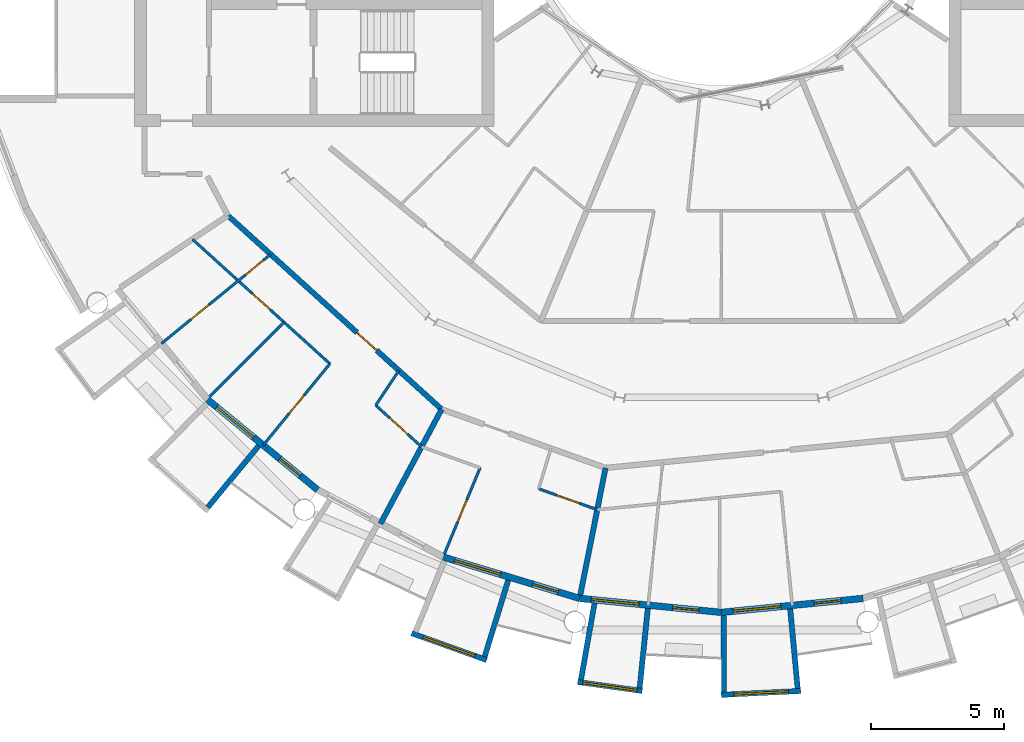
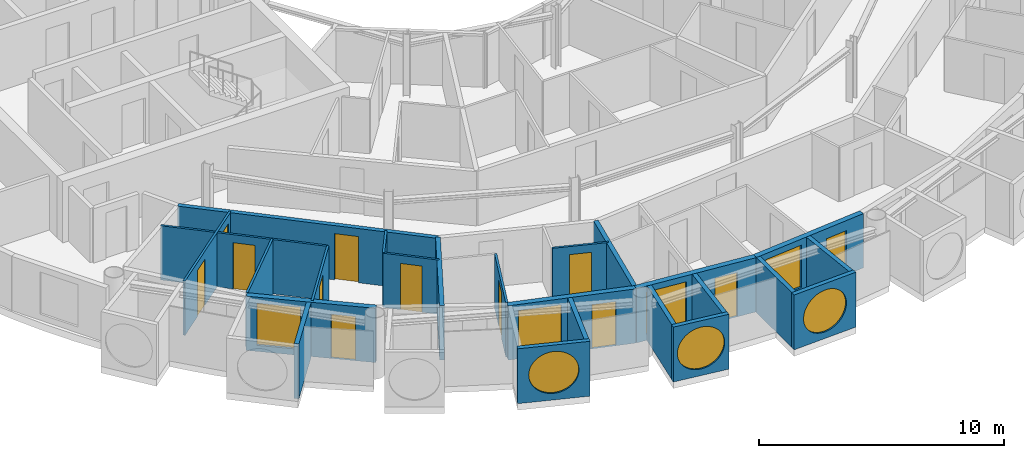
# One storey, part 15 of 29: 24 walls, 12 doors, 7 windows, 19 openings.
"""IFC4 building model written with IfcOpenShell, lengths in metres."""

from ifc_helpers import new_model, si_unit, direction, frame, frame_2d, origin, place, context, subcontext, project, spatial, rectangle, circle, extrude, material, layer, layer_set, type_object, element, fill, save


model = new_model("IFC4")

# Units and contexts
model_context = context("Model", 3, precision=1e-05, world=origin(), true_north=direction((0.0, 1.0)))
body_context = subcontext(model_context, "Body", "Model", "MODEL_VIEW")
ifc_project = project(units=[si_unit("LENGTHUNIT", "METRE"), si_unit("AREAUNIT", "SQUARE_METRE"), si_unit("VOLUMEUNIT", "CUBIC_METRE"), si_unit("PLANEANGLEUNIT", "RADIAN"), si_unit("MASSUNIT", "GRAM", prefix="KILO")], contexts=[model_context])

# Site, building, storey
site_placement = place(None, origin())
site = spatial("IfcSite", under=ifc_project, at=site_placement, CompositionType="ELEMENT")
building_placement = place(site_placement, origin())
building = spatial("IfcBuilding", under=site, at=building_placement, Name="Maasbend Ring Residences", CompositionType="ELEMENT")
storey_placement = place(building_placement, frame((0.0, 0.0, 202.39990234375)))
storey = spatial("IfcBuildingStorey", under=building, at=storey_placement, Name="L58", CompositionType="ELEMENT", Elevation=202.39990234375)

# Wall, opening, door
ifc_material_1 = material(Name="Concrete C30/37", Category="concrete")
ifc_layer_1 = layer(ifc_material_1, 0.199951171875)
ifc_layer_set_1 = layer_set([ifc_layer_1], Name="Concrete C30/37")
wall_type_1 = type_object("IfcWallType", Name="CORRIDOR WALL 200 CONCRETE", PredefinedType="PARTITIONING", material=ifc_layer_set_1)
wall_1_placement = place(storey_placement, frame((-18.5419921875, -12.388916015625, 0.0), z_axis=(0.0, 0.0, 1.0), x_axis=(0.74093897184, -0.671572363941, 0.0)))
wall_1 = element("IfcWall", 1, at=wall_1_placement, inside=storey, type_object=wall_type_1, Name="U-L58-w014", PredefinedType="PARTITIONING", context=body_context, shape_type="SweptSolid", body=[
    extrude(rectangle(XDim=10.84033203125, YDim=0.199951171875, at=frame_2d((5.420166015625, 0.0))), origin(), (0.0, 0.0, 1.0), 2.7001953125),
])
opening_1_placement = place(wall_1_placement, frame((6.5439453125, 0.0, 0.0)))
opening_1 = element("IfcOpeningElement", 2, at=opening_1_placement, cuts=wall_1, Name="Opening D-5834", PredefinedType="OPENING", context=body_context, shape_type="SweptSolid", body=[
    extrude(rectangle(XDim=1.0, YDim=2.300048828125, at=frame_2d((0.5, 1.14990234375))), frame((0.0, 0.10986328125, 0.0), z_axis=(0.0, -1.0, 0.0), x_axis=(1.0, 0.0, 0.0)), (0.0, 0.0, 1.0), 0.219970703125),
])
ifc_material_2 = material(Name="Timber, fire-rated, painted", Category="wood")
door_type_1 = type_object("IfcDoorType", Name="FLAT ENTRANCE DOOR 1000 X 2300 FIRE-RATED", OperationType="NOTDEFINED", PredefinedType="DOOR", material=ifc_material_2)
door_1_placement = place(opening_1_placement, origin())
door_1 = element("IfcDoor", 3, at=door_1_placement, inside=storey, type_object=door_type_1, Name="D-5834", OperationType="SINGLE_SWING_RIGHT", OverallHeight=2.300048828125, OverallWidth=1.0, PredefinedType="DOOR", context=body_context, shape_type="SweptSolid", body=[
    extrude(rectangle(XDim=1.0, YDim=2.300048828125, at=frame_2d((0.5, 1.14990234375))), frame((0.0, 0.02490234375, 0.0), z_axis=(0.0, -1.0, 0.0), x_axis=(1.0, 0.0, 0.0)), (0.0, 0.0, 1.0), 0.050048828125),
])
fill(opening_1, door_1)

# Wall
ifc_material_3 = material(Name="Pale anodised aluminium panel", Category="aluminium")
ifc_layer_2 = layer(ifc_material_3, 0.199951171875)
ifc_layer_set_2 = layer_set([ifc_layer_2], Name="EW-BOX")
wall_type_2 = type_object("IfcWallType", Name="EW-BOX", PredefinedType="SOLIDWALL", material=ifc_layer_set_2)
wall_2_placement = place(storey_placement, frame((-17.384033203125, -21.041015625, -0.02978515625), z_axis=(0.0, 0.0, 1.0), x_axis=(-0.63709551667, -0.770784861449, 0.0)))
element("IfcWall", 4, at=wall_2_placement, inside=storey, type_object=wall_type_2, Name="Box side wall S03 right", PredefinedType="SOLIDWALL", context=body_context, shape_type="SweptSolid", body=[
    extrude(rectangle(XDim=3.005859375, YDim=0.199951171875, at=frame_2d((1.5029296875, 0.0))), origin(), (0.0, 0.0, 1.0), 2.72998046875),
])

# Wall, opening, window
wall_3_placement = place(storey_placement, frame((-11.637939453125, -28.083984375, -0.02978515625), z_axis=(0.0, 0.0, 1.0), x_axis=(0.941461077774, -0.337121697664, 0.0)))
wall_3 = element("IfcWall", 5, at=wall_3_placement, inside=storey, type_object=wall_type_2, Name="Box front S07", PredefinedType="SOLIDWALL", context=body_context, shape_type="SweptSolid", body=[
    extrude(rectangle(XDim=2.9931640625, YDim=0.199951171875, at=frame_2d((1.49658203125, 0.0))), origin(), (0.0, 0.0, 1.0), 2.72998046875),
])
opening_2_placement = place(wall_3_placement, frame((0.45654296875, 0.0, 0.330078125)))
opening_2 = element("IfcOpeningElement", 6, at=opening_2_placement, cuts=wall_3, Name="Opening W-RD", PredefinedType="OPENING", context=body_context, shape_type="SweptSolid", body=[
    extrude(circle(Radius=1.0400390625, at=frame_2d((1.0400390625, 1.0400390625))), frame((0.0, 0.10986328125, 0.0), z_axis=(0.0, -1.0, 0.0), x_axis=(1.0, 0.0, 0.0)), (0.0, 0.0, 1.0), 0.219970703125),
])
ifc_material_4 = material(Name="Aluminium and clear glass", Category="aluminium")
window_type_1 = type_object("IfcWindowType", Name="W-RD", PartitioningType="SINGLE_PANEL", PredefinedType="WINDOW", material=ifc_material_4)
window_1_placement = place(opening_2_placement, origin())
window_1 = element("IfcWindow", 7, at=window_1_placement, inside=storey, type_object=window_type_1, Name="Round window S07", OverallHeight=2.080078125, OverallWidth=2.080078125, PartitioningType="SINGLE_PANEL", PredefinedType="WINDOW", context=body_context, shape_type="SweptSolid", body=[
    extrude(circle(Radius=1.0400390625, at=frame_2d((1.0400390625, 1.0400390625))), frame((0.0, 0.030029296875, 0.0), z_axis=(0.0, -1.0, 0.0), x_axis=(1.0, 0.0, 0.0)), (0.0, 0.0, 1.0), 0.06005859375),
])
fill(opening_2, window_1)

# Wall
wall_4_placement = place(storey_placement, frame((-8.009033203125, -26.092041015625, -0.02978515625), z_axis=(0.0, 0.0, 1.0), x_axis=(-0.293406695073, -0.955987715029, 0.0)))
element("IfcWall", 8, at=wall_4_placement, inside=storey, type_object=wall_type_2, Name="Box side wall S07 right", PredefinedType="SOLIDWALL", context=body_context, shape_type="SweptSolid", body=[
    extrude(rectangle(XDim=3.00634765625, YDim=0.199951171875, at=frame_2d((1.503173828125, 0.0))), origin(), (0.0, 0.0, 1.0), 2.72998046875),
])

# Wall, opening, window
wall_5_placement = place(storey_placement, frame((-5.39794921875, -29.9169921875, -0.02978515625), z_axis=(0.0, 0.0, 1.0), x_axis=(0.990462016113, -0.137786046596, 0.0)))
wall_5 = element("IfcWall", 9, at=wall_5_placement, inside=storey, type_object=wall_type_2, Name="Box front S09", PredefinedType="SOLIDWALL", context=body_context, shape_type="SweptSolid", body=[
    extrude(rectangle(XDim=2.4453125, YDim=0.199951171875, at=frame_2d((1.22265625, 0.0))), origin(), (0.0, 0.0, 1.0), 2.72998046875),
])
opening_3_placement = place(wall_5_placement, frame((0.182861328125, 0.0, 0.330078125)))
opening_3 = element("IfcOpeningElement", 10, at=opening_3_placement, cuts=wall_5, Name="Opening W-RD", PredefinedType="OPENING", context=body_context, shape_type="SweptSolid", body=[
    extrude(circle(Radius=1.0400390625, at=frame_2d((1.0400390625, 1.0400390625))), frame((0.0, 0.10986328125, 0.0), z_axis=(0.0, -1.0, 0.0), x_axis=(1.0, 0.0, 0.0)), (0.0, 0.0, 1.0), 0.219970703125),
])
window_2_placement = place(opening_3_placement, origin())
window_2 = element("IfcWindow", 11, at=window_2_placement, inside=storey, type_object=window_type_1, Name="Round window S09", OverallHeight=2.080078125, OverallWidth=2.080078125, PartitioningType="SINGLE_PANEL", PredefinedType="WINDOW", context=body_context, shape_type="SweptSolid", body=[
    extrude(circle(Radius=1.0400390625, at=frame_2d((1.0400390625, 1.0400390625))), frame((0.0, 0.030029296875, 0.0), z_axis=(0.0, -1.0, 0.0), x_axis=(1.0, 0.0, 0.0)), (0.0, 0.0, 1.0), 0.06005859375),
])
fill(opening_3, window_2)

# Walls
wall_6_placement = place(storey_placement, frame((-4.76904296875, -26.9560546875, -0.02978515625), z_axis=(0.0, 0.0, 1.0), x_axis=(-0.174056778901, -0.984735618183, 0.0)))
element("IfcWall", 12, at=wall_6_placement, inside=storey, type_object=wall_type_2, Name="Box side wall S09 left", PredefinedType="SOLIDWALL", context=body_context, shape_type="SweptSolid", body=[
    extrude(rectangle(XDim=2.924560546875, YDim=0.199951171875, at=frame_2d((1.46240234375, 0.0))), origin(), (0.0, 0.0, 1.0), 2.72998046875),
])
wall_7_placement = place(storey_placement, frame((-2.763916015625, -27.153076171875, -0.02978515625), z_axis=(0.0, 0.0, 1.0), x_axis=(-0.101505487237, -0.994834979311, 0.0)))
element("IfcWall", 13, at=wall_7_placement, inside=storey, type_object=wall_type_2, Name="Box side wall S09 right", PredefinedType="SOLIDWALL", context=body_context, shape_type="SweptSolid", body=[
    extrude(rectangle(XDim=3.006591796875, YDim=0.199951171875, at=frame_2d((1.50341796875, 0.0))), origin(), (0.0, 0.0, 1.0), 2.72998046875),
])

# Wall, opening, window
wall_8_placement = place(storey_placement, frame((-0.0048828125, -30.39990234375, -0.02978515625), z_axis=(0.0, 0.0, 1.0), x_axis=(0.998794083011, 0.049095618353, 0.0)))
wall_8 = element("IfcWall", 14, at=wall_8_placement, inside=storey, type_object=wall_type_2, Name="Box front S11", PredefinedType="SOLIDWALL", context=body_context, shape_type="SweptSolid", body=[
    extrude(rectangle(XDim=2.99365234375, YDim=0.199951171875, at=frame_2d((1.496826171875, 0.0))), origin(), (0.0, 0.0, 1.0), 2.72998046875),
])
opening_4_placement = place(wall_8_placement, frame((0.45654296875, 0.0, 0.330078125)))
opening_4 = element("IfcOpeningElement", 15, at=opening_4_placement, cuts=wall_8, Name="Opening W-RD", PredefinedType="OPENING", context=body_context, shape_type="SweptSolid", body=[
    extrude(circle(Radius=1.0400390625, at=frame_2d((1.0400390625, 1.0400390625))), frame((0.0, 0.10986328125, 0.0), z_axis=(0.0, -1.0, 0.0), x_axis=(1.0, 0.0, 0.0)), (0.0, 0.0, 1.0), 0.219970703125),
])
window_3_placement = place(opening_4_placement, origin())
window_3 = element("IfcWindow", 16, at=window_3_placement, inside=storey, type_object=window_type_1, Name="Round window S11", OverallHeight=2.080078125, OverallWidth=2.080078125, PartitioningType="SINGLE_PANEL", PredefinedType="WINDOW", context=body_context, shape_type="SweptSolid", body=[
    extrude(circle(Radius=1.0400390625, at=frame_2d((1.0400390625, 1.0400390625))), frame((0.0, 0.030029296875, 0.0), z_axis=(0.0, -1.0, 0.0), x_axis=(1.0, 0.0, 0.0)), (0.0, 0.0, 1.0), 0.06005859375),
])
fill(opening_4, window_3)

# Walls
wall_9_placement = place(storey_placement, frame((0.090087890625, -27.4169921875, -0.02978515625), z_axis=(0.0, 0.0, 1.0), x_axis=(0.00347308367, -0.999993968827, 0.0)))
element("IfcWall", 17, at=wall_9_placement, inside=storey, type_object=wall_type_2, Name="Box side wall S11 left", PredefinedType="SOLIDWALL", context=body_context, shape_type="SweptSolid", body=[
    extrude(rectangle(XDim=2.882080078125, YDim=0.199951171875, at=frame_2d((1.44091796875, 0.0))), origin(), (0.0, 0.0, 1.0), 2.72998046875),
])
wall_10_placement = place(storey_placement, frame((2.5859375, -27.1708984375, -0.02978515625), z_axis=(0.0, 0.0, 1.0), x_axis=(0.094548432284, -0.995520262954, 0.0)))
element("IfcWall", 18, at=wall_10_placement, inside=storey, type_object=wall_type_2, Name="Box side wall S11 right", PredefinedType="SOLIDWALL", context=body_context, shape_type="SweptSolid", body=[
    extrude(rectangle(XDim=3.005615234375, YDim=0.199951171875, at=frame_2d((1.5029296875, 0.0))), origin(), (0.0, 0.0, 1.0), 2.72998046875),
])

# Wall, openings, door, window
ifc_material_5 = material(Name="Aluminium clad insulated panel", Category="aluminium")
ifc_layer_3 = layer(ifc_material_5, 0.25)
ifc_layer_set_3 = layer_set([ifc_layer_3], Name="EW-GL")
wall_type_3 = type_object("IfcWallType", Name="EW-GL", PredefinedType="SOLIDWALL", material=ifc_layer_set_3)
wall_11_placement = place(storey_placement, frame((-19.303955078125, -19.303955078125, 0.0), z_axis=(0.0, 0.0, 1.0), x_axis=(0.773019449054, -0.634382322723, 0.0)))
wall_11 = element("IfcWall", 19, at=wall_11_placement, inside=storey, type_object=wall_type_3, Name="External wall S02", PredefinedType="SOLIDWALL", context=body_context, shape_type="SweptSolid", body=[
    extrude(rectangle(XDim=5.351806640625, YDim=0.25, at=frame_2d((2.67578125, 0.0))), origin(), (0.0, 0.0, 1.0), 2.7001953125),
])
opening_5_placement = place(wall_11_placement, frame((0.441162109375, 0.0, 0.300048828125)))
opening_5 = element("IfcOpeningElement", 20, at=opening_5_placement, cuts=wall_11, Name="Opening W-BX", PredefinedType="OPENING", context=body_context, shape_type="SweptSolid", body=[
    extrude(rectangle(XDim=1.800048828125, YDim=2.10009765625, at=frame_2d((0.89990234375, 1.050048828125))), frame((0.0, 0.135009765625, 0.0), z_axis=(0.0, -1.0, 0.0), x_axis=(1.0, 0.0, 0.0)), (0.0, 0.0, 1.0), 0.27001953125),
])
opening_6_placement = place(wall_11_placement, frame((3.510498046875, 0.0, 0.0)))
opening_6 = element("IfcOpeningElement", 21, at=opening_6_placement, cuts=wall_11, Name="Opening D-LG", PredefinedType="OPENING", context=body_context, shape_type="SweptSolid", body=[
    extrude(rectangle(XDim=1.0, YDim=2.199951171875, at=frame_2d((0.5, 1.10009765625))), frame((0.0, 0.135009765625, 0.0), z_axis=(0.0, -1.0, 0.0), x_axis=(1.0, 0.0, 0.0)), (0.0, 0.0, 1.0), 0.27001953125),
])
ifc_material_6 = material(Name="Aluminium and clear glass", Category="aluminium")
door_type_2 = type_object("IfcDoorType", Name="D-LG", OperationType="SINGLE_SWING_LEFT", PredefinedType="DOOR", material=ifc_material_6)
door_2_placement = place(opening_6_placement, origin())
door_2 = element("IfcDoor", 22, at=door_2_placement, inside=storey, type_object=door_type_2, Name="Loggia door S04", OperationType="SINGLE_SWING_LEFT", OverallHeight=2.199951171875, OverallWidth=1.0, PredefinedType="DOOR", context=body_context, shape_type="SweptSolid", body=[
    extrude(rectangle(XDim=1.0, YDim=2.199951171875, at=frame_2d((0.5, 1.10009765625))), frame((0.0, 0.02490234375, 0.0), z_axis=(0.0, -1.0, 0.0), x_axis=(1.0, 0.0, 0.0)), (0.0, 0.0, 1.0), 0.050048828125),
])
fill(opening_6, door_2)
ifc_material_7 = material(Name="Aluminium and clear glass", Category="aluminium")
window_type_2 = type_object("IfcWindowType", Name="W-BX", PartitioningType="DOUBLE_PANEL_VERTICAL", PredefinedType="WINDOW", material=ifc_material_7)
window_4_placement = place(opening_5_placement, origin())
window_4 = element("IfcWindow", 23, at=window_4_placement, inside=storey, type_object=window_type_2, Name="Window S03 room to box", OverallHeight=2.10009765625, OverallWidth=1.800048828125, PartitioningType="SINGLE_PANEL", PredefinedType="WINDOW", context=body_context, shape_type="SweptSolid", body=[
    extrude(rectangle(XDim=1.800048828125, YDim=2.10009765625, at=frame_2d((0.89990234375, 1.050048828125))), frame((0.0, 0.030029296875, 0.0), z_axis=(0.0, -1.0, 0.0), x_axis=(1.0, 0.0, 0.0)), (0.0, 0.0, 1.0), 0.06005859375),
])
fill(opening_5, window_4)

wall_12_placement = place(storey_placement, frame((-10.447021484375, -25.221923828125, 0.0), z_axis=(0.0, 0.0, 1.0), x_axis=(0.956965678721, -0.290201119486, 0.0)))
wall_12 = element("IfcWall", 24, at=wall_12_placement, inside=storey, type_object=wall_type_3, Name="External wall S04", PredefinedType="SOLIDWALL", context=body_context, shape_type="SweptSolid", body=[
    extrude(rectangle(XDim=5.351318359375, YDim=0.25, at=frame_2d((2.67578125, 0.0))), origin(), (0.0, 0.0, 1.0), 2.7001953125),
])
opening_7_placement = place(wall_12_placement, frame((0.441162109375, 0.0, 0.300048828125)))
opening_7 = element("IfcOpeningElement", 25, at=opening_7_placement, cuts=wall_12, Name="Opening W-BX", PredefinedType="OPENING", context=body_context, shape_type="SweptSolid", body=[
    extrude(rectangle(XDim=1.800048828125, YDim=2.10009765625, at=frame_2d((0.89990234375, 1.050048828125))), frame((0.0, 0.135009765625, 0.0), z_axis=(0.0, -1.0, 0.0), x_axis=(1.0, 0.0, 0.0)), (0.0, 0.0, 1.0), 0.27001953125),
])
opening_8_placement = place(wall_12_placement, frame((3.510498046875, 0.0, 0.0)))
opening_8 = element("IfcOpeningElement", 26, at=opening_8_placement, cuts=wall_12, Name="Opening D-LG", PredefinedType="OPENING", context=body_context, shape_type="SweptSolid", body=[
    extrude(rectangle(XDim=1.0, YDim=2.199951171875, at=frame_2d((0.5, 1.10009765625))), frame((0.0, 0.135009765625, 0.0), z_axis=(0.0, -1.0, 0.0), x_axis=(1.0, 0.0, 0.0)), (0.0, 0.0, 1.0), 0.27001953125),
])
door_3_placement = place(opening_8_placement, origin())
door_3 = element("IfcDoor", 27, at=door_3_placement, inside=storey, type_object=door_type_2, Name="Loggia door S08", OperationType="SINGLE_SWING_LEFT", OverallHeight=2.199951171875, OverallWidth=1.0, PredefinedType="DOOR", context=body_context, shape_type="SweptSolid", body=[
    extrude(rectangle(XDim=1.0, YDim=2.199951171875, at=frame_2d((0.5, 1.10009765625))), frame((0.0, 0.02490234375, 0.0), z_axis=(0.0, -1.0, 0.0), x_axis=(1.0, 0.0, 0.0)), (0.0, 0.0, 1.0), 0.050048828125),
])
fill(opening_8, door_3)
window_5_placement = place(opening_7_placement, origin())
window_5 = element("IfcWindow", 28, at=window_5_placement, inside=storey, type_object=window_type_2, Name="Window S07 room to box", OverallHeight=2.10009765625, OverallWidth=1.800048828125, PartitioningType="SINGLE_PANEL", PredefinedType="WINDOW", context=body_context, shape_type="SweptSolid", body=[
    extrude(rectangle(XDim=1.800048828125, YDim=2.10009765625, at=frame_2d((0.89990234375, 1.050048828125))), frame((0.0, 0.030029296875, 0.0), z_axis=(0.0, -1.0, 0.0), x_axis=(1.0, 0.0, 0.0)), (0.0, 0.0, 1.0), 0.06005859375),
])
fill(opening_7, window_5)

wall_13_placement = place(storey_placement, frame((-5.325927734375, -26.77490234375, 0.0), z_axis=(0.0, 0.0, 1.0), x_axis=(0.995173996315, -0.098126026407, 0.0)))
wall_13 = element("IfcWall", 29, at=wall_13_placement, inside=storey, type_object=wall_type_3, Name="External wall S05", PredefinedType="SOLIDWALL", context=body_context, shape_type="SweptSolid", body=[
    extrude(rectangle(XDim=5.351806640625, YDim=0.25, at=frame_2d((2.67578125, 0.0))), origin(), (0.0, 0.0, 1.0), 2.7001953125),
])
opening_9_placement = place(wall_13_placement, frame((0.441162109375, 0.0, 0.300048828125)))
opening_9 = element("IfcOpeningElement", 30, at=opening_9_placement, cuts=wall_13, Name="Opening W-BX", PredefinedType="OPENING", context=body_context, shape_type="SweptSolid", body=[
    extrude(rectangle(XDim=1.800048828125, YDim=2.10009765625, at=frame_2d((0.89990234375, 1.050048828125))), frame((0.0, 0.135009765625, 0.0), z_axis=(0.0, -1.0, 0.0), x_axis=(1.0, 0.0, 0.0)), (0.0, 0.0, 1.0), 0.27001953125),
])
opening_10_placement = place(wall_13_placement, frame((3.510498046875, 0.0, 0.0)))
opening_10 = element("IfcOpeningElement", 31, at=opening_10_placement, cuts=wall_13, Name="Opening D-LG", PredefinedType="OPENING", context=body_context, shape_type="SweptSolid", body=[
    extrude(rectangle(XDim=1.0, YDim=2.199951171875, at=frame_2d((0.5, 1.10009765625))), frame((0.0, 0.135009765625, 0.0), z_axis=(0.0, -1.0, 0.0), x_axis=(1.0, 0.0, 0.0)), (0.0, 0.0, 1.0), 0.27001953125),
])
door_4_placement = place(opening_10_placement, origin())
door_4 = element("IfcDoor", 32, at=door_4_placement, inside=storey, type_object=door_type_2, Name="Loggia door S10", OperationType="SINGLE_SWING_LEFT", OverallHeight=2.199951171875, OverallWidth=1.0, PredefinedType="DOOR", context=body_context, shape_type="SweptSolid", body=[
    extrude(rectangle(XDim=1.0, YDim=2.199951171875, at=frame_2d((0.5, 1.10009765625))), frame((0.0, 0.02490234375, 0.0), z_axis=(0.0, -1.0, 0.0), x_axis=(1.0, 0.0, 0.0)), (0.0, 0.0, 1.0), 0.050048828125),
])
fill(opening_10, door_4)
window_6_placement = place(opening_9_placement, origin())
window_6 = element("IfcWindow", 33, at=window_6_placement, inside=storey, type_object=window_type_2, Name="Window S09 room to box", OverallHeight=2.10009765625, OverallWidth=1.800048828125, PartitioningType="SINGLE_PANEL", PredefinedType="WINDOW", context=body_context, shape_type="SweptSolid", body=[
    extrude(rectangle(XDim=1.800048828125, YDim=2.10009765625, at=frame_2d((0.89990234375, 1.050048828125))), frame((0.0, 0.030029296875, 0.0), z_axis=(0.0, -1.0, 0.0), x_axis=(1.0, 0.0, 0.0)), (0.0, 0.0, 1.0), 0.06005859375),
])
fill(opening_9, window_6)

wall_14_placement = place(storey_placement, frame((0.0, -27.300048828125, 0.0), z_axis=(0.0, 0.0, 1.0), x_axis=(0.995173996315, 0.098126026407, 0.0)))
wall_14 = element("IfcWall", 34, at=wall_14_placement, inside=storey, type_object=wall_type_3, Name="External wall S06", PredefinedType="SOLIDWALL", context=body_context, shape_type="SweptSolid", body=[
    extrude(rectangle(XDim=5.351806640625, YDim=0.25, at=frame_2d((2.67578125, 0.0))), origin(), (0.0, 0.0, 1.0), 2.7001953125),
])
opening_11_placement = place(wall_14_placement, frame((0.441162109375, 0.0, 0.300048828125)))
opening_11 = element("IfcOpeningElement", 35, at=opening_11_placement, cuts=wall_14, Name="Opening W-BX", PredefinedType="OPENING", context=body_context, shape_type="SweptSolid", body=[
    extrude(rectangle(XDim=1.800048828125, YDim=2.10009765625, at=frame_2d((0.89990234375, 1.050048828125))), frame((0.0, 0.135009765625, 0.0), z_axis=(0.0, -1.0, 0.0), x_axis=(1.0, 0.0, 0.0)), (0.0, 0.0, 1.0), 0.27001953125),
])
opening_12_placement = place(wall_14_placement, frame((3.510498046875, 0.0, 0.0)))
opening_12 = element("IfcOpeningElement", 36, at=opening_12_placement, cuts=wall_14, Name="Opening D-LG", PredefinedType="OPENING", context=body_context, shape_type="SweptSolid", body=[
    extrude(rectangle(XDim=1.0, YDim=2.199951171875, at=frame_2d((0.5, 1.10009765625))), frame((0.0, 0.135009765625, 0.0), z_axis=(0.0, -1.0, 0.0), x_axis=(1.0, 0.0, 0.0)), (0.0, 0.0, 1.0), 0.27001953125),
])
door_5_placement = place(opening_12_placement, origin())
door_5 = element("IfcDoor", 37, at=door_5_placement, inside=storey, type_object=door_type_2, Name="Loggia door S12", OperationType="SINGLE_SWING_LEFT", OverallHeight=2.199951171875, OverallWidth=1.0, PredefinedType="DOOR", context=body_context, shape_type="SweptSolid", body=[
    extrude(rectangle(XDim=1.0, YDim=2.199951171875, at=frame_2d((0.5, 1.10009765625))), frame((0.0, 0.02490234375, 0.0), z_axis=(0.0, -1.0, 0.0), x_axis=(1.0, 0.0, 0.0)), (0.0, 0.0, 1.0), 0.050048828125),
])
fill(opening_12, door_5)
window_7_placement = place(opening_11_placement, origin())
window_7 = element("IfcWindow", 38, at=window_7_placement, inside=storey, type_object=window_type_2, Name="Window S11 room to box", OverallHeight=2.10009765625, OverallWidth=1.800048828125, PartitioningType="SINGLE_PANEL", PredefinedType="WINDOW", context=body_context, shape_type="SweptSolid", body=[
    extrude(rectangle(XDim=1.800048828125, YDim=2.10009765625, at=frame_2d((0.89990234375, 1.050048828125))), frame((0.0, 0.030029296875, 0.0), z_axis=(0.0, -1.0, 0.0), x_axis=(1.0, 0.0, 0.0)), (0.0, 0.0, 1.0), 0.06005859375),
])
fill(opening_11, window_7)

# Wall, opening, door
ifc_material_8 = material(Name="Gypsum board on steel studs", Category="steel")
ifc_layer_4 = layer(ifc_material_8, 0.10009765625)
ifc_layer_set_4 = layer_set([ifc_layer_4], Name="PARTITION 100 GYPSUM")
wall_type_4 = type_object("IfcWallType", Name="PARTITION 100 GYPSUM", PredefinedType="PARTITIONING", material=ifc_layer_set_4)
wall_15_placement = place(storey_placement, frame((-6.864013671875, -22.654052734375, 0.0), z_axis=(0.0, 0.0, 1.0), x_axis=(0.941498294089, -0.337017747646, 0.0)))
wall_15 = element("IfcWall", 39, at=wall_15_placement, inside=storey, type_object=wall_type_4, Name="U-L58-w002", PredefinedType="PARTITIONING", context=body_context, shape_type="SweptSolid", body=[
    extrude(rectangle(XDim=2.337646484375, YDim=0.10009765625, at=frame_2d((1.1689453125, 0.0))), origin(), (0.0, 0.0, 1.0), 2.7001953125),
])
opening_13_placement = place(wall_15_placement, frame((0.718994140625, 0.0, 0.0)))
opening_13 = element("IfcOpeningElement", 40, at=opening_13_placement, cuts=wall_15, Name="Opening D-5841", PredefinedType="OPENING", context=body_context, shape_type="SweptSolid", body=[
    extrude(rectangle(XDim=0.89990234375, YDim=2.300048828125, at=frame_2d((0.449951171875, 1.14990234375))), frame((0.0, 0.06005859375, 0.0), z_axis=(0.0, -1.0, 0.0), x_axis=(1.0, 0.0, 0.0)), (0.0, 0.0, 1.0), 0.1201171875),
])
ifc_material_9 = material(Name="Timber, painted", Category="wood")
door_type_3 = type_object("IfcDoorType", Name="INTERNAL DOOR 900 X 2300", OperationType="NOTDEFINED", PredefinedType="DOOR", material=ifc_material_9)
door_6_placement = place(opening_13_placement, origin())
door_6 = element("IfcDoor", 41, at=door_6_placement, inside=storey, type_object=door_type_3, Name="D-5841", OperationType="SINGLE_SWING_LEFT", OverallHeight=2.300048828125, OverallWidth=0.89990234375, PredefinedType="DOOR", context=body_context, shape_type="SweptSolid", body=[
    extrude(rectangle(XDim=0.89990234375, YDim=2.300048828125, at=frame_2d((0.449951171875, 1.14990234375))), frame((0.0, 0.02490234375, 0.0), z_axis=(0.0, -1.0, 0.0), x_axis=(1.0, 0.0, 0.0)), (0.0, 0.0, 1.0), 0.050048828125),
])
fill(opening_13, door_6)

wall_16_placement = place(storey_placement, frame((-19.868896484375, -13.283935546875, 0.0), z_axis=(0.0, 0.0, 1.0), x_axis=(0.741104058203, -0.67139018083, 0.0)))
wall_16 = element("IfcWall", 42, at=wall_16_placement, inside=storey, type_object=wall_type_4, Name="U-L58-w003", PredefinedType="PARTITIONING", context=body_context, shape_type="SweptSolid", body=[
    extrude(rectangle(XDim=6.968994140625, YDim=0.10009765625, at=frame_2d((3.484375, 0.0))), origin(), (0.0, 0.0, 1.0), 2.7001953125),
])
opening_14_placement = place(wall_16_placement, frame((3.028076171875, 0.0, 0.0)))
opening_14 = element("IfcOpeningElement", 43, at=opening_14_placement, cuts=wall_16, Name="Opening D-5838", PredefinedType="OPENING", context=body_context, shape_type="SweptSolid", body=[
    extrude(rectangle(XDim=0.89990234375, YDim=2.300048828125, at=frame_2d((0.449951171875, 1.14990234375))), frame((0.0, 0.06005859375, 0.0), z_axis=(0.0, -1.0, 0.0), x_axis=(1.0, 0.0, 0.0)), (0.0, 0.0, 1.0), 0.1201171875),
])
door_7_placement = place(opening_14_placement, origin())
door_7 = element("IfcDoor", 44, at=door_7_placement, inside=storey, type_object=door_type_3, Name="D-5838", OperationType="SINGLE_SWING_LEFT", OverallHeight=2.300048828125, OverallWidth=0.89990234375, PredefinedType="DOOR", context=body_context, shape_type="SweptSolid", body=[
    extrude(rectangle(XDim=0.89990234375, YDim=2.300048828125, at=frame_2d((0.449951171875, 1.14990234375))), frame((0.0, 0.02490234375, 0.0), z_axis=(0.0, -1.0, 0.0), x_axis=(1.0, 0.0, 0.0)), (0.0, 0.0, 1.0), 0.050048828125),
])
fill(opening_14, door_7)

wall_17_placement = place(storey_placement, frame((-12.988037109375, -19.51806640625, 0.0), z_axis=(0.0, 0.0, 1.0), x_axis=(0.741132356378, -0.671358942988, 0.0)))
wall_17 = element("IfcWall", 45, at=wall_17_placement, inside=storey, type_object=wall_type_4, Name="U-L58-w004", PredefinedType="PARTITIONING", context=body_context, shape_type="SweptSolid", body=[
    extrude(rectangle(XDim=2.323486328125, YDim=0.10009765625, at=frame_2d((1.16162109375, 0.0))), origin(), (0.0, 0.0, 1.0), 2.7001953125),
])
opening_15_placement = place(wall_17_placement, frame((0.7119140625, 0.0, 0.0)))
opening_15 = element("IfcOpeningElement", 46, at=opening_15_placement, cuts=wall_17, Name="Opening D-5835", PredefinedType="OPENING", context=body_context, shape_type="SweptSolid", body=[
    extrude(rectangle(XDim=0.89990234375, YDim=2.300048828125, at=frame_2d((0.449951171875, 1.14990234375))), frame((0.0, 0.06005859375, 0.0), z_axis=(0.0, -1.0, 0.0), x_axis=(1.0, 0.0, 0.0)), (0.0, 0.0, 1.0), 0.1201171875),
])
door_8_placement = place(opening_15_placement, origin())
door_8 = element("IfcDoor", 47, at=door_8_placement, inside=storey, type_object=door_type_3, Name="D-5835", OperationType="SINGLE_SWING_RIGHT", OverallHeight=2.300048828125, OverallWidth=0.89990234375, PredefinedType="DOOR", context=body_context, shape_type="SweptSolid", body=[
    extrude(rectangle(XDim=0.89990234375, YDim=2.300048828125, at=frame_2d((0.449951171875, 1.14990234375))), frame((0.0, 0.02490234375, 0.0), z_axis=(0.0, -1.0, 0.0), x_axis=(1.0, 0.0, 0.0)), (0.0, 0.0, 1.0), 0.050048828125),
])
fill(opening_15, door_8)

# Wall, openings, doors
wall_18_placement = place(storey_placement, frame((-21.0400390625, -17.198974609375, 0.0), z_axis=(0.0, 0.0, 1.0), x_axis=(0.774310172558, 0.632806255241, 0.0)))
wall_18 = element("IfcWall", 48, at=wall_18_placement, inside=storey, type_object=wall_type_4, Name="U-L58-w037", PredefinedType="PARTITIONING", context=body_context, shape_type="SweptSolid", body=[
    extrude(rectangle(XDim=5.30029296875, YDim=0.10009765625, at=frame_2d((2.650146484375, 0.0))), origin(), (0.0, 0.0, 1.0), 2.7001953125),
])
opening_16_placement = place(wall_18_placement, frame((4.06591796875, 0.0, 0.0)))
opening_16 = element("IfcOpeningElement", 49, at=opening_16_placement, cuts=wall_18, Name="Opening D-5836", PredefinedType="OPENING", context=body_context, shape_type="SweptSolid", body=[
    extrude(rectangle(XDim=0.89990234375, YDim=2.300048828125, at=frame_2d((0.449951171875, 1.14990234375))), frame((0.0, 0.06005859375, 0.0), z_axis=(0.0, -1.0, 0.0), x_axis=(1.0, 0.0, 0.0)), (0.0, 0.0, 1.0), 0.1201171875),
])
opening_17_placement = place(wall_18_placement, frame((1.416015625, 0.0, 0.0)))
opening_17 = element("IfcOpeningElement", 50, at=opening_17_placement, cuts=wall_18, Name="Opening D-5839", PredefinedType="OPENING", context=body_context, shape_type="SweptSolid", body=[
    extrude(rectangle(XDim=0.89990234375, YDim=2.300048828125, at=frame_2d((0.449951171875, 1.14990234375))), frame((0.0, 0.06005859375, 0.0), z_axis=(0.0, -1.0, 0.0), x_axis=(1.0, 0.0, 0.0)), (0.0, 0.0, 1.0), 0.1201171875),
])
door_9_placement = place(opening_16_placement, origin())
door_9 = element("IfcDoor", 51, at=door_9_placement, inside=storey, type_object=door_type_3, Name="D-5836", OperationType="SINGLE_SWING_RIGHT", OverallHeight=2.300048828125, OverallWidth=0.89990234375, PredefinedType="DOOR", context=body_context, shape_type="SweptSolid", body=[
    extrude(rectangle(XDim=0.89990234375, YDim=2.300048828125, at=frame_2d((0.449951171875, 1.14990234375))), frame((0.0, 0.02490234375, 0.0), z_axis=(0.0, -1.0, 0.0), x_axis=(1.0, 0.0, 0.0)), (0.0, 0.0, 1.0), 0.050048828125),
])
fill(opening_16, door_9)
door_10_placement = place(opening_17_placement, origin())
door_10 = element("IfcDoor", 52, at=door_10_placement, inside=storey, type_object=door_type_3, Name="D-5839", OperationType="SINGLE_SWING_LEFT", OverallHeight=2.300048828125, OverallWidth=0.89990234375, PredefinedType="DOOR", context=body_context, shape_type="SweptSolid", body=[
    extrude(rectangle(XDim=0.89990234375, YDim=2.300048828125, at=frame_2d((0.449951171875, 1.14990234375))), frame((0.0, 0.02490234375, 0.0), z_axis=(0.0, -1.0, 0.0), x_axis=(1.0, 0.0, 0.0)), (0.0, 0.0, 1.0), 0.050048828125),
])
fill(opening_17, door_10)

# Wall
wall_19_placement = place(storey_placement, frame((-19.23388671875, -19.197021484375, 0.0), z_axis=(0.0, 0.0, 1.0), x_axis=(0.707722727509, 0.706490297858, 0.0)))
element("IfcWall", 53, at=wall_19_placement, inside=storey, type_object=wall_type_4, Name="U-L58-w038", PredefinedType="PARTITIONING", context=body_context, shape_type="SweptSolid", body=[
    extrude(rectangle(XDim=3.9619140625, YDim=0.10009765625, at=frame_2d((1.98095703125, 0.0))), origin(), (0.0, 0.0, 1.0), 2.7001953125),
])

# Wall, opening, door
wall_20_placement = place(storey_placement, frame((-17.218994140625, -21.02294921875, 0.0), z_axis=(0.0, 0.0, 1.0), x_axis=(0.633590098448, 0.773668913133, 0.0)))
wall_20 = element("IfcWall", 54, at=wall_20_placement, inside=storey, type_object=wall_type_4, Name="U-L58-w041", PredefinedType="PARTITIONING", context=body_context, shape_type="SweptSolid", body=[
    extrude(rectangle(XDim=3.961669921875, YDim=0.10009765625, at=frame_2d((1.98095703125, 0.0))), origin(), (0.0, 0.0, 1.0), 2.7001953125),
])
opening_18_placement = place(wall_20_placement, frame((1.531005859375, 0.0, 0.0)))
opening_18 = element("IfcOpeningElement", 55, at=opening_18_placement, cuts=wall_20, Name="Opening D-5837", PredefinedType="OPENING", context=body_context, shape_type="SweptSolid", body=[
    extrude(rectangle(XDim=0.89990234375, YDim=2.300048828125, at=frame_2d((0.449951171875, 1.14990234375))), frame((0.0, 0.06005859375, 0.0), z_axis=(0.0, -1.0, 0.0), x_axis=(1.0, 0.0, 0.0)), (0.0, 0.0, 1.0), 0.1201171875),
])
door_11_placement = place(opening_18_placement, origin())
door_11 = element("IfcDoor", 56, at=door_11_placement, inside=storey, type_object=door_type_3, Name="D-5837", OperationType="SINGLE_SWING_LEFT", OverallHeight=2.300048828125, OverallWidth=0.89990234375, PredefinedType="DOOR", context=body_context, shape_type="SweptSolid", body=[
    extrude(rectangle(XDim=0.89990234375, YDim=2.300048828125, at=frame_2d((0.449951171875, 1.14990234375))), frame((0.0, 0.02490234375, 0.0), z_axis=(0.0, -1.0, 0.0), x_axis=(1.0, 0.0, 0.0)), (0.0, 0.0, 1.0), 0.050048828125),
])
fill(opening_18, door_11)

# Wall
wall_21_placement = place(storey_placement, frame((-12.988037109375, -19.51806640625, 0.0), z_axis=(0.0, 0.0, 1.0), x_axis=(0.554125989098, 0.832432813028, 0.0)))
element("IfcWall", 57, at=wall_21_placement, inside=storey, type_object=wall_type_4, Name="U-L58-w043", PredefinedType="PARTITIONING", context=body_context, shape_type="SweptSolid", body=[
    extrude(rectangle(XDim=1.5703125, YDim=0.10009765625, at=frame_2d((0.78515625, 0.0))), origin(), (0.0, 0.0, 1.0), 2.7001953125),
])

# Wall, opening, door
wall_22_placement = place(storey_placement, frame((-10.406982421875, -25.10302734375, 0.0), z_axis=(0.0, 0.0, 1.0), x_axis=(0.382977322646, 0.9237577444, 0.0)))
wall_22 = element("IfcWall", 58, at=wall_22_placement, inside=storey, type_object=wall_type_4, Name="U-L58-w047", PredefinedType="PARTITIONING", context=body_context, shape_type="SweptSolid", body=[
    extrude(rectangle(XDim=3.504150390625, YDim=0.10009765625, at=frame_2d((1.751953125, 0.0))), origin(), (0.0, 0.0, 1.0), 2.7001953125),
])
opening_19_placement = place(wall_22_placement, frame((1.302001953125, 0.0, 0.0)))
opening_19 = element("IfcOpeningElement", 59, at=opening_19_placement, cuts=wall_22, Name="Opening D-5842", PredefinedType="OPENING", context=body_context, shape_type="SweptSolid", body=[
    extrude(rectangle(XDim=0.89990234375, YDim=2.300048828125, at=frame_2d((0.449951171875, 1.14990234375))), frame((0.0, 0.06005859375, 0.0), z_axis=(0.0, -1.0, 0.0), x_axis=(1.0, 0.0, 0.0)), (0.0, 0.0, 1.0), 0.1201171875),
])
door_12_placement = place(opening_19_placement, origin())
door_12 = element("IfcDoor", 60, at=door_12_placement, inside=storey, type_object=door_type_3, Name="D-5842", OperationType="SINGLE_SWING_LEFT", OverallHeight=2.300048828125, OverallWidth=0.89990234375, PredefinedType="DOOR", context=body_context, shape_type="SweptSolid", body=[
    extrude(rectangle(XDim=0.89990234375, YDim=2.300048828125, at=frame_2d((0.449951171875, 1.14990234375))), frame((0.0, 0.02490234375, 0.0), z_axis=(0.0, -1.0, 0.0), x_axis=(1.0, 0.0, 0.0)), (0.0, 0.0, 1.0), 0.050048828125),
])
fill(opening_19, door_12)

# Walls
ifc_material_10 = material(Name="Concrete C30/37", Category="concrete")
ifc_layer_5 = layer(ifc_material_10, 0.199951171875)
ifc_layer_set_5 = layer_set([ifc_layer_5], Name="Concrete C30/37")
wall_type_5 = type_object("IfcWallType", Name="PARTY WALL 200 CONCRETE", PredefinedType="PARTITIONING", material=ifc_layer_set_5)
for number, where, z_axis, x_axis, name in (
    (61, (-12.80908203125, -23.967041015625, 0.0), (0.0, 0.0, 1.0), (0.471427642527, 0.881904744211, 0.0), "U-L58-w044"),
    (62, (-5.302001953125, -26.653076171875, 0.0), (0.0, 0.0, 1.0), (0.195075825861, 0.980788163756, 0.0), "U-L58-w055"),
):
    element("IfcWall", number, at=place(storey_placement, frame(where, z_axis=z_axis, x_axis=x_axis)), inside=storey, type_object=wall_type_5, Name=name, PredefinedType="PARTITIONING", context=body_context, shape_type="SweptSolid", body=[
        extrude(rectangle(XDim=4.874755859375, YDim=0.199951171875, at=frame_2d((2.4375, 0.0))), origin(), (0.0, 0.0, 1.0), 2.7001953125),
    ])

save(model, "model.ifc")
